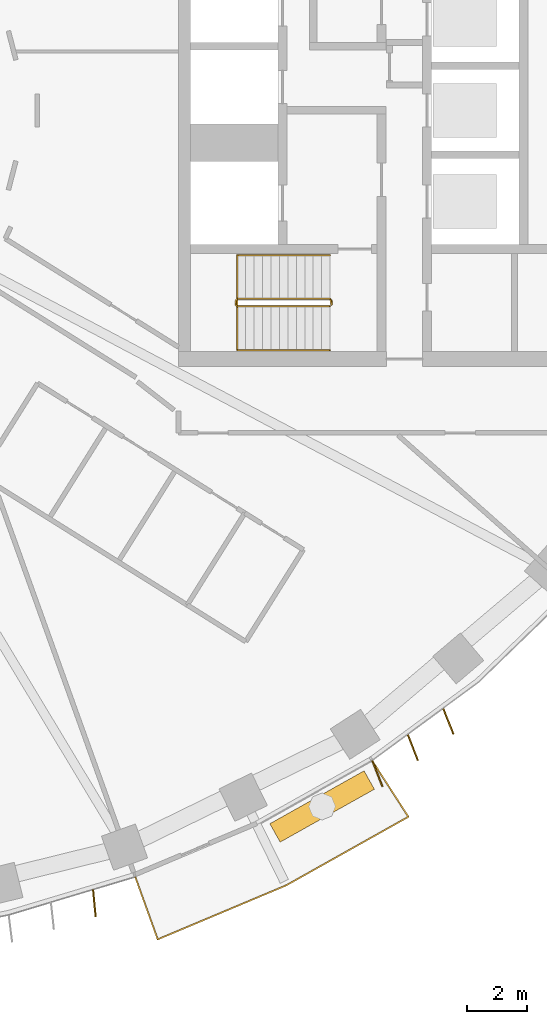
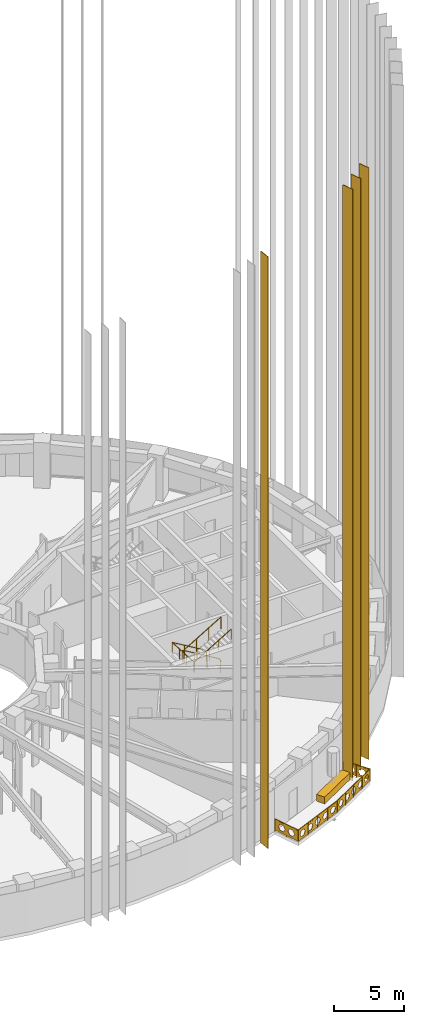
# One storey, part 15 of 19: 5 coverings, 3 railings.
"""IFC4 building model written with IfcOpenShell, lengths in metres."""

from ifc_helpers import new_model, si_unit, direction, frame, origin, origin_2d, place, context, subcontext, project, spatial, polyline, rectangle, outline, extrude, material, material_profile, profile_set, type_object, element, save


model = new_model("IFC4")

# Units and contexts
model_context = context("Model", 3, precision=1e-05, world=origin(), true_north=direction((0.0, 1.0)))
body_context = subcontext(model_context, "Body", "Model", "MODEL_VIEW")
ifc_project = project(units=[si_unit("LENGTHUNIT", "METRE"), si_unit("AREAUNIT", "SQUARE_METRE"), si_unit("VOLUMEUNIT", "CUBIC_METRE"), si_unit("PLANEANGLEUNIT", "RADIAN"), si_unit("MASSUNIT", "GRAM", prefix="KILO")], contexts=[model_context])

# Site, building, storey
site_placement = place(None, origin())
site = spatial("IfcSite", under=ifc_project, at=site_placement, CompositionType="ELEMENT")
building_placement = place(site_placement, origin())
building = spatial("IfcBuilding", under=site, at=building_placement, Name="Noorbagh Ring Tower", CompositionType="ELEMENT")
storey_placement = place(building_placement, frame((0.0, 0.0, 146.0)))
storey = spatial("IfcBuildingStorey", under=building, at=storey_placement, Name="L33", CompositionType="ELEMENT", Elevation=146.0)

# Railings
ifc_material_1 = material(Name="Stainless steel", Category="steel")
railing_type_1 = type_object("IfcRailingType", Name="CORE-STAIR-GUARD", PredefinedType="GUARDRAIL", material=ifc_material_1)
railing_1_placement = place(storey_placement, frame((21.580078125, -6.300048828125, 0.0)))
element("IfcRailing", 1, at=railing_1_placement, inside=storey, type_object=railing_type_1, Name="L33 ST4 stair guard", PredefinedType="GUARDRAIL", context=body_context, shape_type="SweptSolid", body=[
    extrude(rectangle(XDim=0.048095703125, YDim=0.048095703125, at=origin_2d()), frame((0.0, 0.0, 1.076171875), z_axis=(0.0, -1.0, 0.0), x_axis=(1.0, 0.0, 0.0)), (0.0, 0.0, 1.0), 0.14990234375),
    extrude(rectangle(XDim=0.048095703125, YDim=0.048095703125, at=origin_2d()), frame((0.0, -0.14990234375, 1.076171875), z_axis=(-0.188775798145, 0.754182335027, 0.628945707965), x_axis=(-0.970072785993, -0.242814311512, 0.0)), (0.0, 0.0, 1.0), 0.26513671875),
    extrude(rectangle(XDim=0.048095703125, YDim=0.048095703125, at=origin_2d()), frame((-0.050048828125, 0.050048828125, 1.24267578125), z_axis=(-0.859308565015, 0.0, 0.511457515432), x_axis=(0.0, -1.0, 0.0)), (0.0, 0.0, 1.0), 3.58447265625),
    extrude(rectangle(XDim=0.048095703125, YDim=0.048095703125, at=origin_2d()), frame((-3.130126953125, 0.050048828125, 3.076171875), z_axis=(-0.707106781187, -0.707106781187, 0.0), x_axis=(0.707106781187, -0.707106781187, 0.0)), (0.0, 0.0, 1.0), 0.07080078125),
    extrude(rectangle(XDim=0.048095703125, YDim=0.048095703125, at=origin_2d()), frame((-3.18017578125, 0.0, 3.076171875), z_axis=(0.0, -1.0, 0.0), x_axis=(1.0, 0.0, 0.0)), (0.0, 0.0, 1.0), 0.14990234375),
    extrude(rectangle(XDim=0.048095703125, YDim=0.048095703125, at=origin_2d()), frame((-3.18017578125, -0.14990234375, 3.076171875), z_axis=(0.27628659633, -0.27628659633, 0.920506074601), x_axis=(0.707106781187, 0.707106781187, 0.0)), (0.0, 0.0, 1.0), 0.18115234375),
    extrude(rectangle(XDim=0.048095703125, YDim=0.048095703125, at=origin_2d()), frame((-3.130126953125, -0.199951171875, 3.24267578125), z_axis=(0.859308565015, 0.0, 0.511457515432), x_axis=(0.0, 1.0, 0.0)), (0.0, 0.0, 1.0), 3.58447265625),
    extrude(rectangle(XDim=0.0419921875, YDim=0.0419921875, at=origin_2d()), origin(), (0.0, 0.0, 1.0), 1.052001953125),
    extrude(rectangle(XDim=0.0419921875, YDim=0.0419921875, at=origin_2d()), frame((-1.07666015625, 0.050048828125, 0.77783203125)), (0.0, 0.0, 1.0), 1.052001953125),
    extrude(rectangle(XDim=0.0419921875, YDim=0.0419921875, at=origin_2d()), frame((-2.103515625, 0.050048828125, 1.388916015625)), (0.0, 0.0, 1.0), 1.052001953125),
    extrude(rectangle(XDim=0.0419921875, YDim=0.0419921875, at=origin_2d()), frame((-3.130126953125, 0.050048828125, 2.0)), (0.0, 0.0, 1.0), 1.052001953125),
    extrude(rectangle(XDim=0.0419921875, YDim=0.0419921875, at=origin_2d()), frame((-3.130126953125, -0.199951171875, 2.166748046875)), (0.0, 0.0, 1.0), 1.052001953125),
    extrude(rectangle(XDim=0.0419921875, YDim=0.0419921875, at=origin_2d()), frame((-2.103515625, -0.199951171875, 2.77783203125)), (0.0, 0.0, 1.0), 1.052001953125),
    extrude(rectangle(XDim=0.0419921875, YDim=0.0419921875, at=origin_2d()), frame((-1.07666015625, -0.199951171875, 3.388916015625)), (0.0, 0.0, 1.0), 1.052001953125),
    extrude(rectangle(XDim=0.0419921875, YDim=0.0419921875, at=origin_2d()), frame((-0.050048828125, -0.199951171875, 4.0)), (0.0, 0.0, 1.0), 1.052001953125),
])
ifc_material_2 = material(Name="Stainless steel", Category="steel")
railing_type_2 = type_object("IfcRailingType", Name="CORE-STAIR-HANDRAIL", PredefinedType="HANDRAIL", material=ifc_material_2)
railing_2_placement = place(storey_placement, frame((21.530029296875, -4.800048828125, 0.166748046875)))
element("IfcRailing", 2, at=railing_2_placement, inside=storey, type_object=railing_type_2, Name="L33 ST4 stair handrail", PredefinedType="HANDRAIL", context=body_context, shape_type="SweptSolid", body=[
    extrude(rectangle(XDim=0.048095703125, YDim=0.048095703125, at=origin_2d()), frame((0.0, 0.0, 0.8759765625), z_axis=(-0.859308565015, 0.0, 0.511457515432), x_axis=(0.0, -1.0, 0.0)), (0.0, 0.0, 1.0), 3.58447265625),
    extrude(rectangle(XDim=0.048095703125, YDim=0.048095703125, at=origin_2d()), frame((-3.080078125, 0.0, 2.708984375), z_axis=(0.0, -0.998601747152, 0.052863509014), x_axis=(1.0, 0.0, 0.0)), (0.0, 0.0, 1.0), 3.154296875),
    extrude(rectangle(XDim=0.048095703125, YDim=0.048095703125, at=origin_2d()), frame((-3.080078125, -3.14990234375, 2.8759765625), z_axis=(0.859308565015, 0.0, 0.511457515432), x_axis=(0.0, 1.0, 0.0)), (0.0, 0.0, 1.0), 3.58447265625),
    extrude(rectangle(XDim=0.0419921875, YDim=0.0419921875, at=origin_2d()), origin(), (0.0, 0.0, 1.0), 0.851806640625),
    extrude(rectangle(XDim=0.0419921875, YDim=0.0419921875, at=origin_2d()), frame((-1.026611328125, 0.0, 0.611083984375)), (0.0, 0.0, 1.0), 0.851806640625),
    extrude(rectangle(XDim=0.0419921875, YDim=0.0419921875, at=origin_2d()), frame((-2.053466796875, 0.0, 1.22216796875)), (0.0, 0.0, 1.0), 0.851806640625),
    extrude(rectangle(XDim=0.0419921875, YDim=0.0419921875, at=origin_2d()), frame((-3.080078125, 0.0, 1.833251953125)), (0.0, 0.0, 1.0), 0.851806640625),
    extrude(rectangle(XDim=0.0419921875, YDim=0.0419921875, at=origin_2d()), frame((-3.080078125, -1.050048828125, 1.888916015625)), (0.0, 0.0, 1.0), 0.851806640625),
    extrude(rectangle(XDim=0.0419921875, YDim=0.0419921875, at=origin_2d()), frame((-3.080078125, -2.099853515625, 1.9443359375)), (0.0, 0.0, 1.0), 0.851806640625),
    extrude(rectangle(XDim=0.0419921875, YDim=0.0419921875, at=origin_2d()), frame((-3.080078125, -3.14990234375, 2.0)), (0.0, 0.0, 1.0), 0.851806640625),
    extrude(rectangle(XDim=0.0419921875, YDim=0.0419921875, at=origin_2d()), frame((-2.053466796875, -3.14990234375, 2.611083984375)), (0.0, 0.0, 1.0), 0.851806640625),
    extrude(rectangle(XDim=0.0419921875, YDim=0.0419921875, at=origin_2d()), frame((-1.026611328125, -3.14990234375, 3.22216796875)), (0.0, 0.0, 1.0), 0.851806640625),
    extrude(rectangle(XDim=0.0419921875, YDim=0.0419921875, at=origin_2d()), frame((0.0, -3.14990234375, 3.833251953125)), (0.0, 0.0, 1.0), 0.851806640625),
])

# Coverings
ifc_material_3 = material(Name="Aluminium 6063-T6 black anodised", Category="aluminium")
ifc_material_profile = material_profile(ifc_material_3, rectangle(XDim=0.89990234375, YDim=0.050048828125, at=origin_2d()), Name="900x50")
ifc_profile_set = profile_set([ifc_material_profile], Name="Aluminium 6063-T6 black anodised")
covering_type_1 = type_object("IfcCoveringType", Name="ENV-FIN", PredefinedType="CLADDING", material=ifc_profile_set)
for number, where, z_axis, x_axis, name in (
    (3, (13.708740234375, -26.304931640625, -0.284912109375), (0.0, 0.0, 1.0), (0.092918421481, -0.995673725148, 0.0), "Fin F38 3 L33-L45"),
    (4, (23.100830078125, -22.00830078125, -0.284912109375), (0.0, 0.0, 1.0), (0.365038143381, -0.930992563814, 0.0), "Fin F41 1 L33-L45"),
    (5, (24.277587890625, -21.1416015625, -0.284912109375), (0.0, 0.0, 1.0), (0.364533046139, -0.931190452202, 0.0), "Fin F41 2 L33-L45"),
    (6, (25.455078125, -20.2744140625, -0.284912109375), (0.0, 0.0, 1.0), (0.366046969104, -0.930596376745, 0.0), "Fin F41 3 L33-L45"),
):
    element("IfcCovering", number, at=place(storey_placement, frame(where, z_axis=z_axis, x_axis=x_axis)), inside=storey, type_object=covering_type_1, Name=name, ObjectType="FIN", PredefinedType="CLADDING", context=body_context, shape_type="SweptSolid", body=[
        extrude(rectangle(XDim=0.89990234375, YDim=0.050048828125, at=origin_2d()), origin(), (0.0, 0.0, 1.0), 51.969970703125),
    ])

# Railing
ifc_material_4 = material(Name="Steel S275 black powder-coated", Category="steel")
railing_type_3 = type_object("IfcRailingType", Name="ENV-GUARD", PredefinedType="GUARDRAIL", material=ifc_material_4)
railing_3_placement = place(storey_placement, frame((15.0654296875, -25.430419921875, 0.0)))
element("IfcRailing", 7, at=railing_3_placement, inside=storey, type_object=railing_type_3, Name="Balcony guard BS05", PredefinedType="GUARDRAIL", context=body_context, shape_type="SweptSolid", body=[
    extrude(rectangle(XDim=0.048095703125, YDim=0.048095703125, at=origin_2d()), frame((0.0, 0.0, 1.076171875), z_axis=(0.338350546839, -0.941020141896, 0.0), x_axis=(0.941020141896, 0.338350546839, 0.0)), (0.0, 0.0, 1.0), 2.202880859375),
    extrude(rectangle(XDim=0.048095703125, YDim=0.048095703125, at=origin_2d()), frame((0.745361328125, -2.072998046875, 1.076171875), z_axis=(0.921809087722, 0.387644174203, 0.0), x_axis=(-0.387644174203, 0.921809087722, 0.0)), (0.0, 0.0, 1.0), 4.627197265625),
    extrude(rectangle(XDim=0.048095703125, YDim=0.048095703125, at=origin_2d()), frame((5.0107421875, -0.279296875, 1.076171875), z_axis=(0.872052247658, 0.489412788303, 0.0), x_axis=(-0.489412788303, 0.872052247658, 0.0)), (0.0, 0.0, 1.0), 4.646240234375),
    extrude(rectangle(XDim=0.048095703125, YDim=0.048095703125, at=origin_2d()), frame((9.0625, 1.99462890625, 1.076171875), z_axis=(-0.542268136821, 0.840205491406, 0.0), x_axis=(-0.840205491406, -0.542268136821, 0.0)), (0.0, 0.0, 1.0), 2.204345703125),
    extrude(rectangle(XDim=0.0419921875, YDim=0.0419921875, at=origin_2d()), origin(), (0.0, 0.0, 1.0), 1.052001953125),
    extrude(rectangle(XDim=0.0419921875, YDim=0.0419921875, at=origin_2d()), frame((0.37255859375, -1.03662109375, 0.0)), (0.0, 0.0, 1.0), 1.052001953125),
    extrude(rectangle(XDim=0.0419921875, YDim=0.0419921875, at=origin_2d()), frame((0.745361328125, -2.072998046875, 0.0)), (0.0, 0.0, 1.0), 1.052001953125),
    extrude(rectangle(XDim=0.0419921875, YDim=0.0419921875, at=origin_2d()), frame((1.811767578125, -1.62451171875, 0.0)), (0.0, 0.0, 1.0), 1.052001953125),
    extrude(rectangle(XDim=0.0419921875, YDim=0.0419921875, at=origin_2d()), frame((2.8779296875, -1.17626953125, 0.0)), (0.0, 0.0, 1.0), 1.052001953125),
    extrude(rectangle(XDim=0.0419921875, YDim=0.0419921875, at=origin_2d()), frame((3.9443359375, -0.727783203125, 0.0)), (0.0, 0.0, 1.0), 1.052001953125),
    extrude(rectangle(XDim=0.0419921875, YDim=0.0419921875, at=origin_2d()), frame((5.0107421875, -0.279296875, 0.0)), (0.0, 0.0, 1.0), 1.052001953125),
    extrude(rectangle(XDim=0.0419921875, YDim=0.0419921875, at=origin_2d()), frame((6.023681640625, 0.2890625, 0.0)), (0.0, 0.0, 1.0), 1.052001953125),
    extrude(rectangle(XDim=0.0419921875, YDim=0.0419921875, at=origin_2d()), frame((7.03662109375, 0.857666015625, 0.0)), (0.0, 0.0, 1.0), 1.052001953125),
    extrude(rectangle(XDim=0.0419921875, YDim=0.0419921875, at=origin_2d()), frame((8.049560546875, 1.42626953125, 0.0)), (0.0, 0.0, 1.0), 1.052001953125),
    extrude(rectangle(XDim=0.0419921875, YDim=0.0419921875, at=origin_2d()), frame((9.0625, 1.99462890625, 0.0)), (0.0, 0.0, 1.0), 1.052001953125),
    extrude(rectangle(XDim=0.0419921875, YDim=0.0419921875, at=origin_2d()), frame((8.46484375, 2.920654296875, 0.0)), (0.0, 0.0, 1.0), 1.052001953125),
    extrude(rectangle(XDim=0.0419921875, YDim=0.0419921875, at=origin_2d()), frame((7.8671875, 3.8466796875, 0.0)), (0.0, 0.0, 1.0), 1.052001953125),
    extrude(outline(polyline([(0.0, 0.10009765625), (2.202880859375, 0.10009765625), (2.202880859375, 1.031982421875), (0.0, 1.031982421875), (0.0, 0.10009765625)]), holes=[polyline([(0.96142578125, 0.56591796875), (0.806396484375, 0.83447265625), (0.49658203125, 0.83447265625), (0.341552734375, 0.56591796875), (0.49658203125, 0.297607421875), (0.806396484375, 0.297607421875), (0.96142578125, 0.56591796875)]), polyline([(1.861572265625, 0.56591796875), (1.70654296875, 0.83447265625), (1.396484375, 0.83447265625), (1.241455078125, 0.56591796875), (1.396484375, 0.297607421875), (1.70654296875, 0.297607421875), (1.861572265625, 0.56591796875)])]), frame((0.009521484375, 0.00341796875, 0.0), z_axis=(-0.941020141896, -0.338350546839, 0.0), x_axis=(0.338350546839, -0.941020141896, 0.0)), (0.0, 0.0, 1.0), 0.02001953125),
    extrude(outline(polyline([(0.0, 0.10009765625), (4.627197265625, 0.10009765625), (4.627197265625, 1.031982421875), (0.0, 1.031982421875), (0.0, 0.10009765625)]), holes=[polyline([(0.823486328125, 0.56591796875), (0.668701171875, 0.83447265625), (0.358642578125, 0.83447265625), (0.20361328125, 0.56591796875), (0.358642578125, 0.297607421875), (0.668701171875, 0.297607421875), (0.823486328125, 0.56591796875)]), polyline([(1.7236328125, 0.56591796875), (1.568603515625, 0.83447265625), (1.258544921875, 0.83447265625), (1.103515625, 0.56591796875), (1.258544921875, 0.297607421875), (1.568603515625, 0.297607421875), (1.7236328125, 0.56591796875)]), polyline([(2.62353515625, 0.56591796875), (2.468505859375, 0.83447265625), (2.15869140625, 0.83447265625), (2.003662109375, 0.56591796875), (2.15869140625, 0.297607421875), (2.468505859375, 0.297607421875), (2.62353515625, 0.56591796875)]), polyline([(3.523681640625, 0.56591796875), (3.36865234375, 0.83447265625), (3.05859375, 0.83447265625), (2.903564453125, 0.56591796875), (3.05859375, 0.297607421875), (3.36865234375, 0.297607421875), (3.523681640625, 0.56591796875)]), polyline([(4.423583984375, 0.56591796875), (4.2685546875, 0.83447265625), (3.95849609375, 0.83447265625), (3.8037109375, 0.56591796875), (3.95849609375, 0.297607421875), (4.2685546875, 0.297607421875), (4.423583984375, 0.56591796875)])]), frame((0.741455078125, -2.063720703125, 0.0), z_axis=(0.387644174203, -0.921809087722, 0.0), x_axis=(0.921809087722, 0.387644174203, 0.0)), (0.0, 0.0, 1.0), 0.02001953125),
    extrude(outline(polyline([(0.0, 0.10009765625), (4.646240234375, 0.10009765625), (4.646240234375, 1.031982421875), (0.0, 1.031982421875), (0.0, 0.10009765625)]), holes=[polyline([(0.8330078125, 0.56591796875), (0.67822265625, 0.83447265625), (0.3681640625, 0.83447265625), (0.213134765625, 0.56591796875), (0.3681640625, 0.297607421875), (0.67822265625, 0.297607421875), (0.8330078125, 0.56591796875)]), polyline([(1.733154296875, 0.56591796875), (1.578125, 0.83447265625), (1.26806640625, 0.83447265625), (1.113037109375, 0.56591796875), (1.26806640625, 0.297607421875), (1.578125, 0.297607421875), (1.733154296875, 0.56591796875)]), polyline([(2.633056640625, 0.56591796875), (2.47802734375, 0.83447265625), (2.168212890625, 0.83447265625), (2.01318359375, 0.56591796875), (2.168212890625, 0.297607421875), (2.47802734375, 0.297607421875), (2.633056640625, 0.56591796875)]), polyline([(3.533203125, 0.56591796875), (3.378173828125, 0.83447265625), (3.068115234375, 0.83447265625), (2.9130859375, 0.56591796875), (3.068115234375, 0.297607421875), (3.378173828125, 0.297607421875), (3.533203125, 0.56591796875)]), polyline([(4.43310546875, 0.56591796875), (4.278076171875, 0.83447265625), (3.968017578125, 0.83447265625), (3.813232421875, 0.56591796875), (3.968017578125, 0.297607421875), (4.278076171875, 0.297607421875), (4.43310546875, 0.56591796875)])]), frame((5.005859375, -0.2705078125, 0.0), z_axis=(0.489412788303, -0.872052247658, 0.0), x_axis=(0.872052247658, 0.489412788303, 0.0)), (0.0, 0.0, 1.0), 0.02001953125),
    extrude(outline(polyline([(0.0, 0.10009765625), (2.204345703125, 0.10009765625), (2.204345703125, 1.031982421875), (0.0, 1.031982421875), (0.0, 0.10009765625)]), holes=[polyline([(0.962158203125, 0.56591796875), (0.80712890625, 0.83447265625), (0.4970703125, 0.83447265625), (0.342041015625, 0.56591796875), (0.4970703125, 0.297607421875), (0.80712890625, 0.297607421875), (0.962158203125, 0.56591796875)]), polyline([(1.862060546875, 0.56591796875), (1.70703125, 0.83447265625), (1.397216796875, 0.83447265625), (1.2421875, 0.56591796875), (1.397216796875, 0.297607421875), (1.70703125, 0.297607421875), (1.862060546875, 0.56591796875)])]), frame((9.05419921875, 1.9892578125, 0.0), z_axis=(0.840205491406, 0.542268136821, 0.0), x_axis=(-0.542268136821, 0.840205491406, 0.0)), (0.0, 0.0, 1.0), 0.02001953125),
])

# Covering
ifc_material_5 = material(Name="Concrete C30/37 planter with soil", Category="concrete")
covering_type_2 = type_object("IfcCoveringType", Name="ENV-PLANTER", PredefinedType="CLADDING", material=ifc_material_5)
covering_placement = place(storey_placement, frame((21.26513671875, -23.093017578125, 0.0), z_axis=(0.0, 0.0, 1.0), x_axis=(0.872044586249, 0.48942643941, 0.0)))
element("IfcCovering", 8, at=covering_placement, inside=storey, type_object=covering_type_2, Name="PLANTER BS05", ObjectType="PLANTER", PredefinedType="CLADDING", context=body_context, shape_type="SweptSolid", body=[
    extrude(rectangle(XDim=3.58544921875, YDim=0.699951171875, at=origin_2d()), origin(), (0.0, 0.0, 1.0), 0.60009765625),
])

save(model, "model.ifc")
